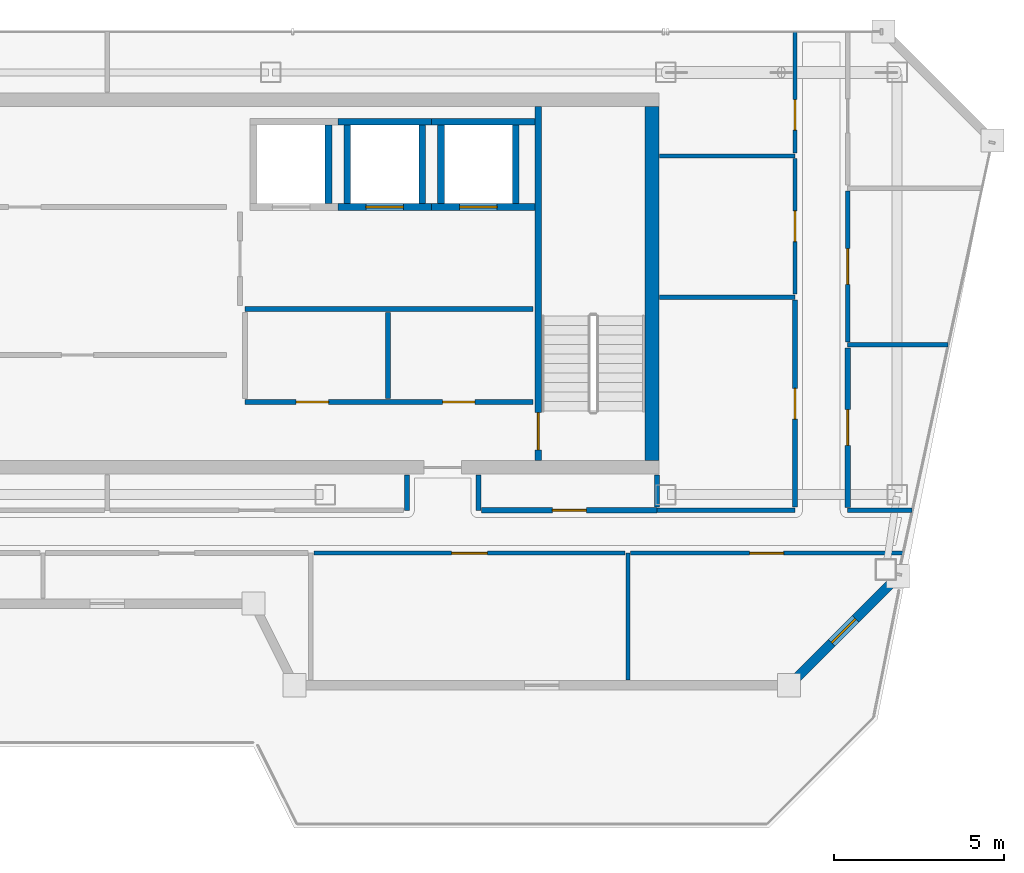
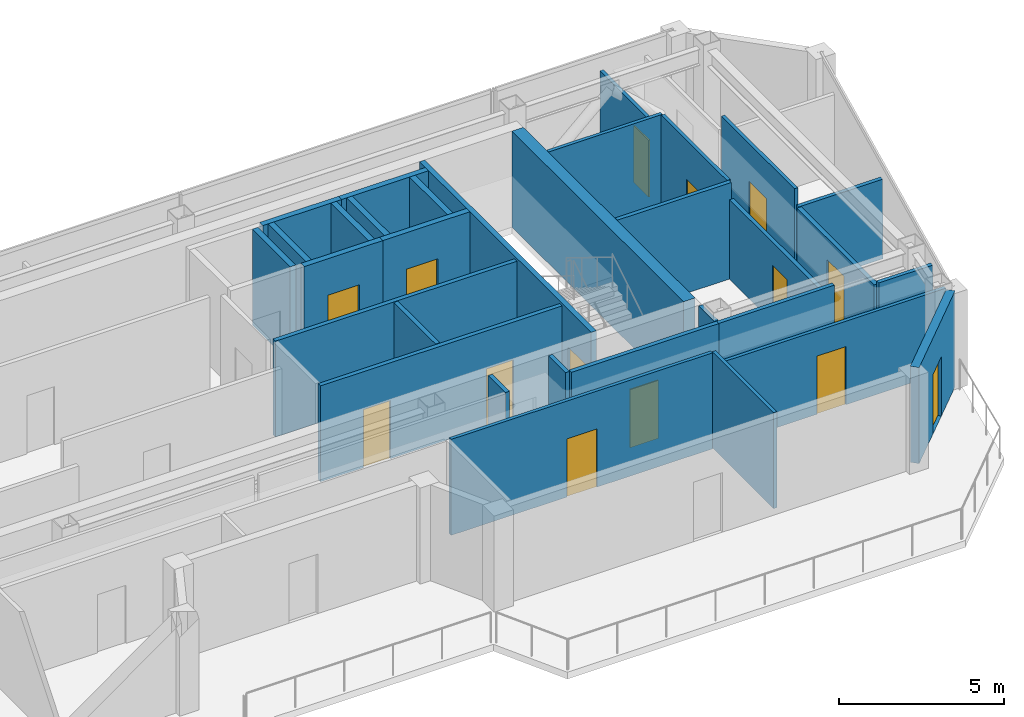
# One storey, part 13 of 17: 32 walls, 14 doors, 14 openings.
"""IFC4 building model written with IfcOpenShell, lengths in metres."""

from ifc_helpers import new_model, si_unit, direction, frame, frame_2d, origin, place, context, subcontext, project, spatial, rectangle, extrude, material, layer, layer_set, type_object, element, fill, save


model = new_model("IFC4")

# Units and contexts
model_context = context("Model", 3, precision=1e-05, world=origin(), true_north=direction((0.0, 1.0)))
body_context = subcontext(model_context, "Body", "Model", "MODEL_VIEW")
ifc_project = project(units=[si_unit("LENGTHUNIT", "METRE"), si_unit("AREAUNIT", "SQUARE_METRE"), si_unit("VOLUMEUNIT", "CUBIC_METRE"), si_unit("PLANEANGLEUNIT", "RADIAN"), si_unit("MASSUNIT", "GRAM", prefix="KILO")], contexts=[model_context])

# Site, building, storey
site_placement = place(None, origin())
site = spatial("IfcSite", under=ifc_project, at=site_placement, CompositionType="ELEMENT")
building_placement = place(site_placement, origin())
building = spatial("IfcBuilding", under=site, at=building_placement, Name="Saevonmaru Cultural Tower", CompositionType="ELEMENT")
storey_placement = place(building_placement, frame((0.0, 0.0, 310.39990234375)))
storey = spatial("IfcBuildingStorey", under=building, at=storey_placement, Name="L74", CompositionType="ELEMENT", Elevation=310.39990234375)

# Wall
ifc_material_1 = material(Name="Concrete C50/60", Category="concrete")
ifc_layer_1 = layer(ifc_material_1, 0.39990234375, Name="Concrete C50/60")
ifc_layer_set_1 = layer_set([ifc_layer_1], Name="Concrete C50/60")
wall_type_1 = type_object("IfcWallType", Name="WL-CORE-400", PredefinedType="SHEAR", material=ifc_layer_set_1)
wall_1_placement = place(storey_placement, frame((46.0, 43.39990234375, 0.0), z_axis=(0.0, 0.0, 1.0), x_axis=(0.0, 1.0, 0.0)))
element("IfcWall", 1, at=wall_1_placement, inside=storey, type_object=wall_type_1, Name="L74 Tower RC core shear wall E", PredefinedType="SHEAR", context=body_context, shape_type="SweptSolid", body=[
    extrude(rectangle(XDim=10.400146484375, YDim=0.39990234375, at=frame_2d((5.2001953125, 0.0))), origin(), (0.0, 0.0, 1.0), 3.550048828125),
])

# Wall, openings, doors
ifc_material_2 = material(Name="Gypsum Fireboard Partition", Category="gypsum")
ifc_layer_2 = layer(ifc_material_2, 0.14990234375, Name="Gypsum Fireboard Partition")
ifc_layer_set_2 = layer_set([ifc_layer_2], Name="Gypsum Fireboard Partition")
wall_type_2 = type_object("IfcWallType", Name="WL-CORE-PART-150", PredefinedType="PARTITIONING", material=ifc_layer_set_2)
wall_2_placement = place(storey_placement, frame((34.050048828125, 45.1201171875, 0.0), z_axis=(0.0, 0.0, 1.0), x_axis=(1.0, 0.0, 0.0)))
wall_2 = element("IfcWall", 2, at=wall_2_placement, inside=storey, type_object=wall_type_2, Name="L74 Core Plant South Wall", PredefinedType="PARTITIONING", context=body_context, shape_type="SweptSolid", body=[
    extrude(rectangle(XDim=8.449951171875, YDim=0.14990234375, at=frame_2d((4.22509765625, 0.0))), origin(), (0.0, 0.0, 1.0), 3.550048828125),
])
opening_1_placement = place(wall_2_placement, frame((1.5, 0.0, 0.0)))
opening_1 = element("IfcOpeningElement", 3, at=opening_1_placement, cuts=wall_2, Name="Opening FD-4", PredefinedType="OPENING", context=body_context, shape_type="SweptSolid", body=[
    extrude(rectangle(XDim=0.949951171875, YDim=2.14990234375, at=frame_2d((0.47509765625, 1.074951171875))), frame((0.0, 0.0849609375, 0.0), z_axis=(0.0, -1.0, 0.0), x_axis=(1.0, 0.0, 0.0)), (0.0, 0.0, 1.0), 0.169921875),
])
opening_2_placement = place(wall_2_placement, frame((5.800048828125, 0.0, 0.0)))
opening_2 = element("IfcOpeningElement", 4, at=opening_2_placement, cuts=wall_2, Name="Opening FD-4", PredefinedType="OPENING", context=body_context, shape_type="SweptSolid", body=[
    extrude(rectangle(XDim=0.949951171875, YDim=2.14990234375, at=frame_2d((0.47509765625, 1.074951171875))), frame((0.0, 0.0849609375, 0.0), z_axis=(0.0, -1.0, 0.0), x_axis=(1.0, 0.0, 0.0)), (0.0, 0.0, 1.0), 0.169921875),
])
ifc_material_3 = material(Name="Satin Bronze Anodised Aluminium", Category="aluminium")
door_type_1 = type_object("IfcDoorType", Name="DR-FD60-950", OperationType="SINGLE_SWING_LEFT", PredefinedType="DOOR", material=ifc_material_3)
door_1_placement = place(opening_1_placement, origin())
door_1 = element("IfcDoor", 5, at=door_1_placement, inside=storey, type_object=door_type_1, Name="L74 Floor AHU Plant Door", OperationType="SINGLE_SWING_LEFT", OverallHeight=2.14990234375, OverallWidth=0.949951171875, PredefinedType="DOOR", context=body_context, shape_type="SweptSolid", body=[
    extrude(rectangle(XDim=0.949951171875, YDim=2.14990234375, at=frame_2d((0.47509765625, 1.074951171875))), frame((0.0, 0.02490234375, 0.0), z_axis=(0.0, -1.0, 0.0), x_axis=(1.0, 0.0, 0.0)), (0.0, 0.0, 1.0), 0.050048828125),
])
fill(opening_1, door_1)
door_2_placement = place(opening_2_placement, origin())
door_2 = element("IfcDoor", 6, at=door_2_placement, inside=storey, type_object=door_type_1, Name="L74 Housekeeping Storage Door", OperationType="SINGLE_SWING_LEFT", OverallHeight=2.14990234375, OverallWidth=0.949951171875, PredefinedType="DOOR", context=body_context, shape_type="SweptSolid", body=[
    extrude(rectangle(XDim=0.949951171875, YDim=2.14990234375, at=frame_2d((0.47509765625, 1.074951171875))), frame((0.0, 0.02490234375, 0.0), z_axis=(0.0, -1.0, 0.0), x_axis=(1.0, 0.0, 0.0)), (0.0, 0.0, 1.0), 0.050048828125),
])
fill(opening_2, door_2)

# Walls
wall_3_placement = place(storey_placement, frame((34.050048828125, 47.85009765625, 0.0), z_axis=(0.0, 0.0, 1.0), x_axis=(1.0, 0.0, 0.0)))
element("IfcWall", 7, at=wall_3_placement, inside=storey, type_object=wall_type_2, Name="L74 Core Plant North Wall", PredefinedType="PARTITIONING", context=body_context, shape_type="SweptSolid", body=[
    extrude(rectangle(XDim=8.449951171875, YDim=0.14990234375, at=frame_2d((4.22509765625, 0.0))), origin(), (0.0, 0.0, 1.0), 3.550048828125),
])
wall_4_placement = place(storey_placement, frame((38.25, 45.219970703125, 0.0), z_axis=(0.0, 0.0, 1.0), x_axis=(0.0, 1.0, 0.0)))
element("IfcWall", 8, at=wall_4_placement, inside=storey, type_object=wall_type_2, Name="L74 Core Plant Split", PredefinedType="PARTITIONING", context=body_context, shape_type="SweptSolid", body=[
    extrude(rectangle(XDim=2.530029296875, YDim=0.14990234375, at=frame_2d((1.26513671875, 0.0))), origin(), (0.0, 0.0, 1.0), 3.550048828125),
])

# Wall, opening, door
ifc_material_4 = material(Name="Granite-Clad Precast Concrete C40/50", Category="masonry")
ifc_layer_3 = layer(ifc_material_4, 0.280029296875, Name="Granite-Clad Precast Concrete C40/50")
ifc_layer_set_3 = layer_set([ifc_layer_3], Name="Granite-Clad Precast Concrete C40/50")
wall_type_3 = type_object("IfcWallType", Name="WL-EXT-SPANDREL-280", PredefinedType="STANDARD", material=ifc_layer_set_3)
wall_5_placement = place(storey_placement, frame((50.139892578125, 36.9130859375, 0.0), z_axis=(0.0, 0.0, 1.0), x_axis=(0.70707775441, 0.707135806771, 0.0)))
wall_5 = element("IfcWall", 9, at=wall_5_placement, inside=storey, type_object=wall_type_3, Name="L74 Setback Terrace Portal Wall E7", PredefinedType="STANDARD", context=body_context, shape_type="SweptSolid", body=[
    extrude(rectangle(XDim=4.20556640625, YDim=0.280029296875, at=frame_2d((2.102783203125, 0.0))), origin(), (0.0, 0.0, 1.0), 3.550048828125),
])
opening_3_placement = place(wall_5_placement, frame((1.60302734375, 0.0, 0.0)))
opening_3 = element("IfcOpeningElement", 10, at=opening_3_placement, cuts=wall_5, Name="Opening TD-2", PredefinedType="OPENING", context=body_context, shape_type="SweptSolid", body=[
    extrude(rectangle(XDim=1.0, YDim=2.199951171875, at=frame_2d((0.5, 1.10009765625))), frame((0.0, 0.14990234375, 0.0), z_axis=(0.0, -1.0, 0.0), x_axis=(1.0, 0.0, 0.0)), (0.0, 0.0, 1.0), 0.300048828125),
])
door_type_2 = type_object("IfcDoorType", Name="DR-TERR-1000", OperationType="SINGLE_SWING_RIGHT", PredefinedType="DOOR", material=ifc_material_3)
door_3_placement = place(opening_3_placement, origin())
door_3 = element("IfcDoor", 11, at=door_3_placement, inside=storey, type_object=door_type_2, Name="L74 Sawtooth Roof Terrace Door E7", OperationType="SINGLE_SWING_LEFT", OverallHeight=2.199951171875, OverallWidth=1.0, PredefinedType="DOOR", context=body_context, shape_type="SweptSolid", body=[
    extrude(rectangle(XDim=1.0, YDim=2.199951171875, at=frame_2d((0.5, 1.10009765625))), frame((0.0, 0.02490234375, 0.0), z_axis=(0.0, -1.0, 0.0), x_axis=(1.0, 0.0, 0.0)), (0.0, 0.0, 1.0), 0.050048828125),
])
fill(opening_3, door_3)

ifc_layer_4 = layer(ifc_material_2, 0.14990234375, Name="Gypsum Fireboard Partition")
ifc_layer_set_4 = layer_set([ifc_layer_4], Name="Gypsum Fireboard Partition")
wall_type_4 = type_object("IfcWallType", Name="WL-PART-FIRE-150", PredefinedType="PARTITIONING", material=ifc_layer_set_4)
wall_6_placement = place(storey_placement, frame((51.75, 42.027587890625, 0.0), z_axis=(0.0, 0.0, 1.0), x_axis=(0.0, 1.0, 0.0)))
wall_6 = element("IfcWall", 12, at=wall_6_placement, inside=storey, type_object=wall_type_4, Name="L74 Visual Arts Critique Gallery Corridor Wall", PredefinedType="PARTITIONING", context=body_context, shape_type="SweptSolid", body=[
    extrude(rectangle(XDim=4.684814453125, YDim=0.14990234375, at=frame_2d((2.34228515625, 0.0))), origin(), (0.0, 0.0, 1.0), 2.947021484375),
])
opening_4_placement = place(wall_6_placement, frame((1.81689453125, 0.0, 0.0)))
opening_4 = element("IfcOpeningElement", 13, at=opening_4_placement, cuts=wall_6, Name="Opening ID-1", PredefinedType="OPENING", context=body_context, shape_type="SweptSolid", body=[
    extrude(rectangle(XDim=1.050048828125, YDim=2.14990234375, at=frame_2d((0.52490234375, 1.074951171875))), frame((0.0, 0.0849609375, 0.0), z_axis=(0.0, -1.0, 0.0), x_axis=(1.0, 0.0, 0.0)), (0.0, 0.0, 1.0), 0.169921875),
])
door_type_3 = type_object("IfcDoorType", Name="DR-INT-1050", OperationType="SINGLE_SWING_LEFT", PredefinedType="DOOR", material=ifc_material_3)
door_4_placement = place(opening_4_placement, origin())
door_4 = element("IfcDoor", 14, at=door_4_placement, inside=storey, type_object=door_type_3, Name="L74 Visual Arts Critique Gallery Door", OperationType="SINGLE_SWING_RIGHT", OverallHeight=2.14990234375, OverallWidth=1.050048828125, PredefinedType="DOOR", context=body_context, shape_type="SweptSolid", body=[
    extrude(rectangle(XDim=1.050048828125, YDim=2.14990234375, at=frame_2d((0.52490234375, 1.074951171875))), frame((0.0, 0.02490234375, 0.0), z_axis=(0.0, -1.0, 0.0), x_axis=(1.0, 0.0, 0.0)), (0.0, 0.0, 1.0), 0.050048828125),
])
fill(opening_4, door_4)

# Walls
for number, where, z_axis, x_axis, name in (
    (15, (38.800048828125, 41.93994140625, 0.0), (0.0, 0.0, 1.0), (0.0, 1.0, 0.0), "L74 Core Portal Side Wall E1"),
    (16, (40.89990234375, 41.93994140625, 0.0), (0.0, 0.0, 1.0), (0.0, 1.0, 0.0), "L74 Core Portal Side Wall E2"),
):
    element("IfcWall", number, at=place(storey_placement, frame(where, z_axis=z_axis, x_axis=x_axis)), inside=storey, type_object=wall_type_4, Name=name, PredefinedType="PARTITIONING", context=body_context, shape_type="SweptSolid", body=[
        extrude(rectangle(XDim=1.0400390625, YDim=0.14990234375, at=frame_2d((0.52001953125, 0.0))), origin(), (0.0, 0.0, 1.0), 3.550048828125),
    ])

# Wall, opening, door
wall_7_placement = place(storey_placement, frame((40.9951171875, 41.93994140625, 0.0), z_axis=(0.0, 0.0, 1.0), x_axis=(1.0, 0.0, 0.0)))
wall_7 = element("IfcWall", 17, at=wall_7_placement, inside=storey, type_object=wall_type_4, Name="L74 Media Screening Auditorium Corridor Wall", PredefinedType="PARTITIONING", context=body_context, shape_type="SweptSolid", body=[
    extrude(rectangle(XDim=5.15478515625, YDim=0.14990234375, at=frame_2d((2.577392578125, 0.0))), origin(), (0.0, 0.0, 1.0), 3.550048828125),
])
opening_5_placement = place(wall_7_placement, frame((2.077880859375, 0.0, 0.0)))
opening_5 = element("IfcOpeningElement", 18, at=opening_5_placement, cuts=wall_7, Name="Opening ID-1B", PredefinedType="OPENING", context=body_context, shape_type="SweptSolid", body=[
    extrude(rectangle(XDim=1.0, YDim=2.14990234375, at=frame_2d((0.5, 1.074951171875))), frame((0.0, 0.0849609375, 0.0), z_axis=(0.0, -1.0, 0.0), x_axis=(1.0, 0.0, 0.0)), (0.0, 0.0, 1.0), 0.169921875),
])
ifc_material_5 = material(Name="Acoustic Stained Oak Timber", Category="wood")
door_type_4 = type_object("IfcDoorType", Name="DR-INT-1000", OperationType="SINGLE_SWING_RIGHT", PredefinedType="DOOR", material=ifc_material_5)
door_5_placement = place(opening_5_placement, origin())
door_5 = element("IfcDoor", 19, at=door_5_placement, inside=storey, type_object=door_type_4, Name="L74 Media Screening Auditorium Door", OperationType="SINGLE_SWING_RIGHT", OverallHeight=2.14990234375, OverallWidth=1.0, PredefinedType="DOOR", context=body_context, shape_type="SweptSolid", body=[
    extrude(rectangle(XDim=1.0, YDim=2.14990234375, at=frame_2d((0.5, 1.074951171875))), frame((0.0, 0.02490234375, 0.0), z_axis=(0.0, -1.0, 0.0), x_axis=(1.0, 0.0, 0.0)), (0.0, 0.0, 1.0), 0.050048828125),
])
fill(opening_5, door_5)

# Wall
ifc_layer_5 = layer(ifc_material_2, 0.1201171875, Name="Gypsum Fireboard Partition")
ifc_layer_set_5 = layer_set([ifc_layer_5], Name="Gypsum Fireboard Partition")
wall_type_5 = type_object("IfcWallType", Name="WL-PART-GYP-120", PredefinedType="PARTITIONING", material=ifc_layer_set_5)
wall_8_placement = place(storey_placement, frame((46.219970703125, 52.35009765625, 0.0), z_axis=(0.0, 0.0, 1.0), x_axis=(1.0, 0.0, 0.0)))
element("IfcWall", 20, at=wall_8_placement, inside=storey, type_object=wall_type_5, Name="L74 North-East Panorama South Wall", PredefinedType="PARTITIONING", context=body_context, shape_type="SweptSolid", body=[
    extrude(rectangle(XDim=3.97998046875, YDim=0.1201171875, at=frame_2d((1.989990234375, 0.0))), origin(), (0.0, 0.0, 1.0), 3.550048828125),
])

# Wall, opening, door
wall_9_placement = place(storey_placement, frame((50.199951171875, 48.2900390625, 0.0), z_axis=(0.0, 0.0, 1.0), x_axis=(0.0, 1.0, 0.0)))
wall_9 = element("IfcWall", 21, at=wall_9_placement, inside=storey, type_object=wall_type_5, Name="L74 Digital Media Classroom Corridor Wall", PredefinedType="PARTITIONING", context=body_context, shape_type="SweptSolid", body=[
    extrude(rectangle(XDim=3.97998046875, YDim=0.1201171875, at=frame_2d((1.989990234375, 0.0))), origin(), (0.0, 0.0, 1.0), 3.550048828125),
])
opening_6_placement = place(wall_9_placement, frame((1.5400390625, 0.0, 0.0)))
opening_6 = element("IfcOpeningElement", 22, at=opening_6_placement, cuts=wall_9, Name="Opening ID-2", PredefinedType="OPENING", context=body_context, shape_type="SweptSolid", body=[
    extrude(rectangle(XDim=0.89990234375, YDim=2.10009765625, at=frame_2d((0.449951171875, 1.050048828125))), frame((0.0, 0.070068359375, 0.0), z_axis=(0.0, -1.0, 0.0), x_axis=(1.0, 0.0, 0.0)), (0.0, 0.0, 1.0), 0.14013671875),
])
door_type_5 = type_object("IfcDoorType", Name="DR-INT-900", OperationType="SINGLE_SWING_RIGHT", PredefinedType="DOOR", material=ifc_material_5)
door_6_placement = place(opening_6_placement, origin())
door_6 = element("IfcDoor", 23, at=door_6_placement, inside=storey, type_object=door_type_5, Name="L74 Digital Media Classroom Door", OperationType="SINGLE_SWING_LEFT", OverallHeight=2.10009765625, OverallWidth=0.89990234375, PredefinedType="DOOR", context=body_context, shape_type="SweptSolid", body=[
    extrude(rectangle(XDim=0.89990234375, YDim=2.10009765625, at=frame_2d((0.449951171875, 1.050048828125))), frame((0.0, 0.02490234375, 0.0), z_axis=(0.0, -1.0, 0.0), x_axis=(1.0, 0.0, 0.0)), (0.0, 0.0, 1.0), 0.050048828125),
])
fill(opening_6, door_6)

wall_10_placement = place(storey_placement, frame((50.199951171875, 52.429931640625, 0.0), z_axis=(0.0, 0.0, 1.0), x_axis=(0.0, 1.0, 0.0)))
wall_10 = element("IfcWall", 24, at=wall_10_placement, inside=storey, type_object=wall_type_5, Name="L74 Design Seminar Classroom Corridor Wall", PredefinedType="PARTITIONING", context=body_context, shape_type="SweptSolid", body=[
    extrude(rectangle(XDim=3.565185546875, YDim=0.1201171875, at=frame_2d((1.78271484375, 0.0))), origin(), (0.0, 0.0, 1.0), 2.93505859375),
])
opening_7_placement = place(wall_10_placement, frame((0.672119140625, 0.0, 0.0)))
opening_7 = element("IfcOpeningElement", 25, at=opening_7_placement, cuts=wall_10, Name="Opening ID-2", PredefinedType="OPENING", context=body_context, shape_type="SweptSolid", body=[
    extrude(rectangle(XDim=0.89990234375, YDim=2.10009765625, at=frame_2d((0.449951171875, 1.050048828125))), frame((0.0, 0.070068359375, 0.0), z_axis=(0.0, -1.0, 0.0), x_axis=(1.0, 0.0, 0.0)), (0.0, 0.0, 1.0), 0.14013671875),
])
door_7_placement = place(opening_7_placement, origin())
door_7 = element("IfcDoor", 26, at=door_7_placement, inside=storey, type_object=door_type_5, Name="L74 Design Seminar Classroom Door", OperationType="SINGLE_SWING_RIGHT", OverallHeight=2.10009765625, OverallWidth=0.89990234375, PredefinedType="DOOR", context=body_context, shape_type="SweptSolid", body=[
    extrude(rectangle(XDim=0.89990234375, YDim=2.10009765625, at=frame_2d((0.449951171875, 1.050048828125))), frame((0.0, 0.02490234375, 0.0), z_axis=(0.0, -1.0, 0.0), x_axis=(1.0, 0.0, 0.0)), (0.0, 0.0, 1.0), 0.050048828125),
])
fill(opening_7, door_7)

wall_11_placement = place(storey_placement, frame((51.75, 46.887451171875, 0.0), z_axis=(0.0, 0.0, 1.0), x_axis=(0.0, 1.0, 0.0)))
wall_11 = element("IfcWall", 27, at=wall_11_placement, inside=storey, type_object=wall_type_5, Name="L74 Cartographic Study Library Corridor Wall", PredefinedType="PARTITIONING", context=body_context, shape_type="SweptSolid", body=[
    extrude(rectangle(XDim=4.425048828125, YDim=0.1201171875, at=frame_2d((2.21240234375, 0.0))), origin(), (0.0, 0.0, 1.0), 3.550048828125),
])
opening_8_placement = place(wall_11_placement, frame((1.68701171875, 0.0, 0.0)))
opening_8 = element("IfcOpeningElement", 28, at=opening_8_placement, cuts=wall_11, Name="Opening ID-1", PredefinedType="OPENING", context=body_context, shape_type="SweptSolid", body=[
    extrude(rectangle(XDim=1.050048828125, YDim=2.14990234375, at=frame_2d((0.52490234375, 1.074951171875))), frame((0.0, 0.070068359375, 0.0), z_axis=(0.0, -1.0, 0.0), x_axis=(1.0, 0.0, 0.0)), (0.0, 0.0, 1.0), 0.14013671875),
])
door_8_placement = place(opening_8_placement, origin())
door_8 = element("IfcDoor", 29, at=door_8_placement, inside=storey, type_object=door_type_3, Name="L74 Cartographic Study Library Door", OperationType="SINGLE_SWING_LEFT", OverallHeight=2.14990234375, OverallWidth=1.050048828125, PredefinedType="DOOR", context=body_context, shape_type="SweptSolid", body=[
    extrude(rectangle(XDim=1.050048828125, YDim=2.14990234375, at=frame_2d((0.52490234375, 1.074951171875))), frame((0.0, 0.02490234375, 0.0), z_axis=(0.0, -1.0, 0.0), x_axis=(1.0, 0.0, 0.0)), (0.0, 0.0, 1.0), 0.050048828125),
])
fill(opening_8, door_8)

# Wall
wall_12_placement = place(storey_placement, frame((45.2900390625, 36.9599609375, 0.0), z_axis=(0.0, 0.0, 1.0), x_axis=(0.0, 1.0, 0.0)))
element("IfcWall", 30, at=wall_12_placement, inside=storey, type_object=wall_type_5, Name="L74 Observatory Bay Divider 5", PredefinedType="PARTITIONING", context=body_context, shape_type="SweptSolid", body=[
    extrude(rectangle(XDim=3.719970703125, YDim=0.1201171875, at=frame_2d((1.85986328125, 0.0))), origin(), (0.0, 0.0, 1.0), 3.550048828125),
])

# Wall, opening, door
wall_13_placement = place(storey_placement, frame((36.0673828125, 40.679931640625, 0.0), z_axis=(0.0, 0.0, 1.0), x_axis=(1.0, 0.0, 0.0)))
wall_13 = element("IfcWall", 31, at=wall_13_placement, inside=storey, type_object=wall_type_5, Name="L74 Cartographic Study Library Corridor Wall", PredefinedType="PARTITIONING", context=body_context, shape_type="SweptSolid", body=[
    extrude(rectangle(XDim=9.142578125, YDim=0.1201171875, at=frame_2d((4.5712890625, 0.0))), origin(), (0.0, 0.0, 1.0), 3.550048828125),
])
opening_9_placement = place(wall_13_placement, frame((4.0458984375, 0.0, 0.0)))
opening_9 = element("IfcOpeningElement", 32, at=opening_9_placement, cuts=wall_13, Name="Opening ID-1", PredefinedType="OPENING", context=body_context, shape_type="SweptSolid", body=[
    extrude(rectangle(XDim=1.050048828125, YDim=2.14990234375, at=frame_2d((0.52490234375, 1.074951171875))), frame((0.0, 0.070068359375, 0.0), z_axis=(0.0, -1.0, 0.0), x_axis=(1.0, 0.0, 0.0)), (0.0, 0.0, 1.0), 0.14013671875),
])
door_9_placement = place(opening_9_placement, origin())
door_9 = element("IfcDoor", 33, at=door_9_placement, inside=storey, type_object=door_type_3, Name="L74 Cartographic Study Library Door", OperationType="SINGLE_SWING_LEFT", OverallHeight=2.14990234375, OverallWidth=1.050048828125, PredefinedType="DOOR", context=body_context, shape_type="SweptSolid", body=[
    extrude(rectangle(XDim=1.050048828125, YDim=2.14990234375, at=frame_2d((0.52490234375, 1.074951171875))), frame((0.0, 0.02490234375, 0.0), z_axis=(0.0, -1.0, 0.0), x_axis=(1.0, 0.0, 0.0)), (0.0, 0.0, 1.0), 0.050048828125),
])
fill(opening_9, door_9)

wall_14_placement = place(storey_placement, frame((45.3701171875, 40.679931640625, 0.0), z_axis=(0.0, 0.0, 1.0), x_axis=(1.0, 0.0, 0.0)))
wall_14 = element("IfcWall", 34, at=wall_14_placement, inside=storey, type_object=wall_type_5, Name="L74 Panoramic Salon Restaurant Corridor Wall", PredefinedType="PARTITIONING", context=body_context, shape_type="SweptSolid", body=[
    extrude(rectangle(XDim=7.998779296875, YDim=0.1201171875, at=frame_2d((3.99951171875, 0.0))), origin(), (0.0, 0.0, 1.0), 3.085205078125),
])
opening_10_placement = place(wall_14_placement, frame((3.4990234375, 0.0, 0.0)))
opening_10 = element("IfcOpeningElement", 35, at=opening_10_placement, cuts=wall_14, Name="Opening ID-1B", PredefinedType="OPENING", context=body_context, shape_type="SweptSolid", body=[
    extrude(rectangle(XDim=1.0, YDim=2.14990234375, at=frame_2d((0.5, 1.074951171875))), frame((0.0, 0.070068359375, 0.0), z_axis=(0.0, -1.0, 0.0), x_axis=(1.0, 0.0, 0.0)), (0.0, 0.0, 1.0), 0.14013671875),
])
door_10_placement = place(opening_10_placement, origin())
door_10 = element("IfcDoor", 36, at=door_10_placement, inside=storey, type_object=door_type_4, Name="L74 Panoramic Salon Restaurant Door", OperationType="SINGLE_SWING_RIGHT", OverallHeight=2.14990234375, OverallWidth=1.0, PredefinedType="DOOR", context=body_context, shape_type="SweptSolid", body=[
    extrude(rectangle(XDim=1.0, YDim=2.14990234375, at=frame_2d((0.5, 1.074951171875))), frame((0.0, 0.02490234375, 0.0), z_axis=(0.0, -1.0, 0.0), x_axis=(1.0, 0.0, 0.0)), (0.0, 0.0, 1.0), 0.050048828125),
])
fill(opening_10, door_10)

# Walls
ifc_layer_6 = layer(ifc_material_2, 0.135009765625, Name="Gypsum Fireboard Partition")
ifc_layer_set_6 = layer_set([ifc_layer_6], Name="Gypsum Fireboard Partition")
wall_type_6 = type_object("IfcWallType", Name="WL-PART-GYP-135", PredefinedType="PARTITIONING", material=ifc_layer_set_6)
wall_15_placement = place(storey_placement, frame((51.75, 41.93994140625, 0.0), z_axis=(0.0, 0.0, 1.0), x_axis=(1.0, 0.0, 0.0)))
element("IfcWall", 37, at=wall_15_placement, inside=storey, type_object=wall_type_6, Name="L74 NE Wing South Wall", PredefinedType="PARTITIONING", context=body_context, shape_type="SweptSolid", body=[
    extrude(rectangle(XDim=1.891845703125, YDim=0.135009765625, at=frame_2d((0.94580078125, 0.0))), origin(), (0.0, 0.0, 1.0), 3.085205078125),
])
wall_16_placement = place(storey_placement, frame((51.75, 46.800048828125, 0.0), z_axis=(0.0, 0.0, 1.0), x_axis=(1.0, 0.0, 0.0)))
element("IfcWall", 38, at=wall_16_placement, inside=storey, type_object=wall_type_6, Name="L74 NE Studio Divider 1", PredefinedType="PARTITIONING", context=body_context, shape_type="SweptSolid", body=[
    extrude(rectangle(XDim=2.94482421875, YDim=0.135009765625, at=frame_2d((1.472412109375, 0.0))), origin(), (0.0, 0.0, 1.0), 2.947021484375),
])
ifc_layer_7 = layer(ifc_material_2, 0.139892578125, Name="Gypsum Fireboard Partition")
ifc_layer_set_7 = layer_set([ifc_layer_7], Name="Gypsum Fireboard Partition")
wall_type_7 = type_object("IfcWallType", Name="WL-PART-WET-140", PredefinedType="PARTITIONING", material=ifc_layer_set_7)
wall_17_placement = place(storey_placement, frame((46.14990234375, 41.93994140625, 0.0), z_axis=(0.0, 0.0, 1.0), x_axis=(1.0, 0.0, 0.0)))
element("IfcWall", 39, at=wall_17_placement, inside=storey, type_object=wall_type_7, Name="L74 Washroom South Wall", PredefinedType="PARTITIONING", context=body_context, shape_type="SweptSolid", body=[
    extrude(rectangle(XDim=4.050048828125, YDim=0.139892578125, at=frame_2d((2.02490234375, 0.0))), origin(), (0.0, 0.0, 1.0), 3.550048828125),
])
wall_18_placement = place(storey_placement, frame((46.14990234375, 42.030029296875, 0.0), z_axis=(0.0, 0.0, 1.0), x_axis=(0.0, 1.0, 0.0)))
element("IfcWall", 40, at=wall_18_placement, inside=storey, type_object=wall_type_7, Name="L74 Washroom South-West Return", PredefinedType="PARTITIONING", context=body_context, shape_type="SweptSolid", body=[
    extrude(rectangle(XDim=0.949951171875, YDim=0.139892578125, at=frame_2d((0.47509765625, 0.0))), origin(), (0.0, 0.0, 1.0), 3.550048828125),
])
wall_19_placement = place(storey_placement, frame((46.219970703125, 48.199951171875, 0.0), z_axis=(0.0, 0.0, 1.0), x_axis=(1.0, 0.0, 0.0)))
element("IfcWall", 41, at=wall_19_placement, inside=storey, type_object=wall_type_7, Name="L74 Washroom North Wall", PredefinedType="PARTITIONING", context=body_context, shape_type="SweptSolid", body=[
    extrude(rectangle(XDim=3.97998046875, YDim=0.139892578125, at=frame_2d((1.989990234375, 0.0))), origin(), (0.0, 0.0, 1.0), 3.550048828125),
])

# Wall, opening, door
wall_20_placement = place(storey_placement, frame((50.199951171875, 42.030029296875, 0.0), z_axis=(0.0, 0.0, 1.0), x_axis=(0.0, 1.0, 0.0)))
wall_20 = element("IfcWall", 42, at=wall_20_placement, inside=storey, type_object=wall_type_7, Name="L74 Washroom Corridor Wall", PredefinedType="PARTITIONING", context=body_context, shape_type="SweptSolid", body=[
    extrude(rectangle(XDim=6.080078125, YDim=0.139892578125, at=frame_2d((3.0400390625, 0.0))), origin(), (0.0, 0.0, 1.0), 2.947021484375),
])
opening_11_placement = place(wall_20_placement, frame((2.590087890625, 0.0, 0.0)))
opening_11 = element("IfcOpeningElement", 43, at=opening_11_placement, cuts=wall_20, Name="Opening ID-2", PredefinedType="OPENING", context=body_context, shape_type="SweptSolid", body=[
    extrude(rectangle(XDim=0.89990234375, YDim=2.10009765625, at=frame_2d((0.449951171875, 1.050048828125))), frame((0.0, 0.080078125, 0.0), z_axis=(0.0, -1.0, 0.0), x_axis=(1.0, 0.0, 0.0)), (0.0, 0.0, 1.0), 0.159912109375),
])
door_11_placement = place(opening_11_placement, origin())
door_11 = element("IfcDoor", 44, at=door_11_placement, inside=storey, type_object=door_type_5, Name="L74 Public Accessible Washrooms Door", OperationType="SINGLE_SWING_RIGHT", OverallHeight=2.10009765625, OverallWidth=0.89990234375, PredefinedType="DOOR", context=body_context, shape_type="SweptSolid", body=[
    extrude(rectangle(XDim=0.89990234375, YDim=2.10009765625, at=frame_2d((0.449951171875, 1.050048828125))), frame((0.0, 0.02490234375, 0.0), z_axis=(0.0, -1.0, 0.0), x_axis=(1.0, 0.0, 0.0)), (0.0, 0.0, 1.0), 0.050048828125),
])
fill(opening_11, door_11)

# Wall
ifc_material_6 = material(Name="Concrete C40/50", Category="concrete")
ifc_layer_8 = layer(ifc_material_6, 0.199951171875, Name="Concrete C40/50")
ifc_layer_set_8 = layer_set([ifc_layer_8], Name="Concrete C40/50")
wall_type_8 = type_object("IfcWallType", Name="WL-SHAFT-200", PredefinedType="SHEAR", material=ifc_layer_set_8)
wall_21_placement = place(storey_placement, frame((36.5, 50.949951171875, 0.0), z_axis=(0.0, 0.0, 1.0), x_axis=(0.0, 1.0, 0.0)))
element("IfcWall", 45, at=wall_21_placement, inside=storey, type_object=wall_type_8, Name="L74 Lift PL-H1 Hoistway Wall E", PredefinedType="SHEAR", context=body_context, shape_type="SweptSolid", body=[
    extrude(rectangle(XDim=2.300048828125, YDim=0.199951171875, at=frame_2d((1.14990234375, 0.0))), origin(), (0.0, 0.0, 1.0), 3.550048828125),
])

# Wall, opening, door
wall_22_placement = place(storey_placement, frame((36.77490234375, 50.85009765625, 0.0), z_axis=(0.0, 0.0, 1.0), x_axis=(1.0, 0.0, 0.0)))
wall_22 = element("IfcWall", 46, at=wall_22_placement, inside=storey, type_object=wall_type_8, Name="L74 Lift PL-H2 Hoistway Wall S", PredefinedType="SHEAR", context=body_context, shape_type="SweptSolid", body=[
    extrude(rectangle(XDim=2.75, YDim=0.199951171875, at=frame_2d((1.375, 0.0))), origin(), (0.0, 0.0, 1.0), 3.550048828125),
])
opening_12_placement = place(wall_22_placement, frame((0.824951171875, 0.0, 0.0)))
opening_12 = element("IfcOpeningElement", 47, at=opening_12_placement, cuts=wall_22, Name="Opening LD-1", PredefinedType="OPENING", context=body_context, shape_type="SweptSolid", body=[
    extrude(rectangle(XDim=1.10009765625, YDim=2.199951171875, at=frame_2d((0.550048828125, 1.10009765625))), frame((0.0, 0.10986328125, 0.0), z_axis=(0.0, -1.0, 0.0), x_axis=(1.0, 0.0, 0.0)), (0.0, 0.0, 1.0), 0.219970703125),
])
ifc_material_7 = material(Name="Satin Bronze Stainless Steel", Category="steel")
door_type_6 = type_object("IfcDoorType", Name="DR-LIFT-1100", OperationType="SLIDING_TO_LEFT", PredefinedType="DOOR", material=ifc_material_7)
door_12_placement = place(opening_12_placement, origin())
door_12 = element("IfcDoor", 48, at=door_12_placement, inside=storey, type_object=door_type_6, Name="L74 Lift PL-H2 Sliding Landing Door", OperationType="SLIDING_TO_LEFT", OverallHeight=2.199951171875, OverallWidth=1.10009765625, PredefinedType="DOOR", context=body_context, shape_type="SweptSolid", body=[
    extrude(rectangle(XDim=1.10009765625, YDim=2.199951171875, at=frame_2d((0.550048828125, 1.10009765625))), frame((0.0, 0.02490234375, 0.0), z_axis=(0.0, -1.0, 0.0), x_axis=(1.0, 0.0, 0.0)), (0.0, 0.0, 1.0), 0.050048828125),
])
fill(opening_12, door_12)

# Walls
wall_23_placement = place(storey_placement, frame((36.77490234375, 53.35009765625, 0.0), z_axis=(0.0, 0.0, 1.0), x_axis=(1.0, 0.0, 0.0)))
element("IfcWall", 49, at=wall_23_placement, inside=storey, type_object=wall_type_8, Name="L74 Lift PL-H2 Hoistway Wall N", PredefinedType="SHEAR", context=body_context, shape_type="SweptSolid", body=[
    extrude(rectangle(XDim=2.75, YDim=0.199951171875, at=frame_2d((1.375, 0.0))), origin(), (0.0, 0.0, 1.0), 3.550048828125),
])
for number, where, z_axis, x_axis, name in (
    (50, (37.050048828125, 50.949951171875, 0.0), (0.0, 0.0, 1.0), (0.0, 1.0, 0.0), "L74 Lift PL-H2 Hoistway Wall W"),
    (51, (39.25, 50.949951171875, 0.0), (0.0, 0.0, 1.0), (0.0, 1.0, 0.0), "L74 Lift PL-H2 Hoistway Wall E"),
):
    element("IfcWall", number, at=place(storey_placement, frame(where, z_axis=z_axis, x_axis=x_axis)), inside=storey, type_object=wall_type_8, Name=name, PredefinedType="SHEAR", context=body_context, shape_type="SweptSolid", body=[
        extrude(rectangle(XDim=2.300048828125, YDim=0.199951171875, at=frame_2d((1.14990234375, 0.0))), origin(), (0.0, 0.0, 1.0), 3.550048828125),
    ])

# Wall, opening, door
wall_24_placement = place(storey_placement, frame((39.52490234375, 50.85009765625, 0.0), z_axis=(0.0, 0.0, 1.0), x_axis=(1.0, 0.0, 0.0)))
wall_24 = element("IfcWall", 52, at=wall_24_placement, inside=storey, type_object=wall_type_8, Name="L74 Lift PL-H3 Hoistway Wall S", PredefinedType="SHEAR", context=body_context, shape_type="SweptSolid", body=[
    extrude(rectangle(XDim=3.045166015625, YDim=0.199951171875, at=frame_2d((1.5224609375, 0.0))), origin(), (0.0, 0.0, 1.0), 3.550048828125),
])
opening_13_placement = place(wall_24_placement, frame((0.824951171875, 0.0, 0.0)))
opening_13 = element("IfcOpeningElement", 53, at=opening_13_placement, cuts=wall_24, Name="Opening LD-1", PredefinedType="OPENING", context=body_context, shape_type="SweptSolid", body=[
    extrude(rectangle(XDim=1.10009765625, YDim=2.199951171875, at=frame_2d((0.550048828125, 1.10009765625))), frame((0.0, 0.10986328125, 0.0), z_axis=(0.0, -1.0, 0.0), x_axis=(1.0, 0.0, 0.0)), (0.0, 0.0, 1.0), 0.219970703125),
])
door_13_placement = place(opening_13_placement, origin())
door_13 = element("IfcDoor", 54, at=door_13_placement, inside=storey, type_object=door_type_6, Name="L74 Lift PL-H3 Sliding Landing Door", OperationType="SLIDING_TO_LEFT", OverallHeight=2.199951171875, OverallWidth=1.10009765625, PredefinedType="DOOR", context=body_context, shape_type="SweptSolid", body=[
    extrude(rectangle(XDim=1.10009765625, YDim=2.199951171875, at=frame_2d((0.550048828125, 1.10009765625))), frame((0.0, 0.02490234375, 0.0), z_axis=(0.0, -1.0, 0.0), x_axis=(1.0, 0.0, 0.0)), (0.0, 0.0, 1.0), 0.050048828125),
])
fill(opening_13, door_13)

# Walls
wall_25_placement = place(storey_placement, frame((39.52490234375, 53.35009765625, 0.0), z_axis=(0.0, 0.0, 1.0), x_axis=(1.0, 0.0, 0.0)))
element("IfcWall", 55, at=wall_25_placement, inside=storey, type_object=wall_type_8, Name="L74 Lift PL-H3 Hoistway Wall N", PredefinedType="SHEAR", context=body_context, shape_type="SweptSolid", body=[
    extrude(rectangle(XDim=3.045166015625, YDim=0.199951171875, at=frame_2d((1.5224609375, 0.0))), origin(), (0.0, 0.0, 1.0), 3.550048828125),
])
for number, where, z_axis, x_axis, name in (
    (56, (39.800048828125, 50.949951171875, 0.0), (0.0, 0.0, 1.0), (0.0, 1.0, 0.0), "L74 Lift PL-H3 Hoistway Wall W"),
    (57, (42.0, 50.949951171875, 0.0), (0.0, 0.0, 1.0), (0.0, 1.0, 0.0), "L74 Lift PL-H3 Hoistway Wall E"),
):
    element("IfcWall", number, at=place(storey_placement, frame(where, z_axis=z_axis, x_axis=x_axis)), inside=storey, type_object=wall_type_8, Name=name, PredefinedType="SHEAR", context=body_context, shape_type="SweptSolid", body=[
        extrude(rectangle(XDim=2.300048828125, YDim=0.199951171875, at=frame_2d((1.14990234375, 0.0))), origin(), (0.0, 0.0, 1.0), 3.550048828125),
    ])

# Wall, opening, door
ifc_layer_9 = layer(ifc_material_6, 0.179931640625, Name="Concrete C40/50")
ifc_layer_set_9 = layer_set([ifc_layer_9], Name="Concrete C40/50")
wall_type_9 = type_object("IfcWallType", Name="WL-STSHAFT-180", PredefinedType="SHEAR", material=ifc_layer_set_9)
wall_26_placement = place(storey_placement, frame((42.659912109375, 53.800048828125, 0.0), z_axis=(0.0, 0.0, 1.0), x_axis=(0.0, -1.0, 0.0)))
wall_26 = element("IfcWall", 58, at=wall_26_placement, inside=storey, type_object=wall_type_9, Name="L74 Stair ST-2 Structural Shaft Wall 1", PredefinedType="SHEAR", context=body_context, shape_type="SweptSolid", body=[
    extrude(rectangle(XDim=10.400146484375, YDim=0.179931640625, at=frame_2d((5.2001953125, 0.0))), origin(), (0.0, 0.0, 1.0), 3.550048828125),
])
opening_14_placement = place(wall_26_placement, frame((8.989990234375, 0.0, 0.0)))
opening_14 = element("IfcOpeningElement", 59, at=opening_14_placement, cuts=wall_26, Name="Opening FD-2", PredefinedType="OPENING", context=body_context, shape_type="SweptSolid", body=[
    extrude(rectangle(XDim=1.10009765625, YDim=2.14990234375, at=frame_2d((0.550048828125, 1.074951171875))), frame((0.0, 0.10009765625, 0.0), z_axis=(0.0, -1.0, 0.0), x_axis=(1.0, 0.0, 0.0)), (0.0, 0.0, 1.0), 0.199951171875),
])
door_type_7 = type_object("IfcDoorType", Name="DR-FD60-1100", OperationType="SINGLE_SWING_LEFT", PredefinedType="DOOR", material=ifc_material_3)
door_14_placement = place(opening_14_placement, origin())
door_14 = element("IfcDoor", 60, at=door_14_placement, inside=storey, type_object=door_type_7, Name="L74 Protected Stair ST-2 Fire Door", OperationType="SINGLE_SWING_LEFT", OverallHeight=2.14990234375, OverallWidth=1.10009765625, PredefinedType="DOOR", context=body_context, shape_type="SweptSolid", body=[
    extrude(rectangle(XDim=1.10009765625, YDim=2.14990234375, at=frame_2d((0.550048828125, 1.074951171875))), frame((0.0, 0.02490234375, 0.0), z_axis=(0.0, -1.0, 0.0), x_axis=(1.0, 0.0, 0.0)), (0.0, 0.0, 1.0), 0.050048828125),
])
fill(opening_14, door_14)

save(model, "model.ifc")
